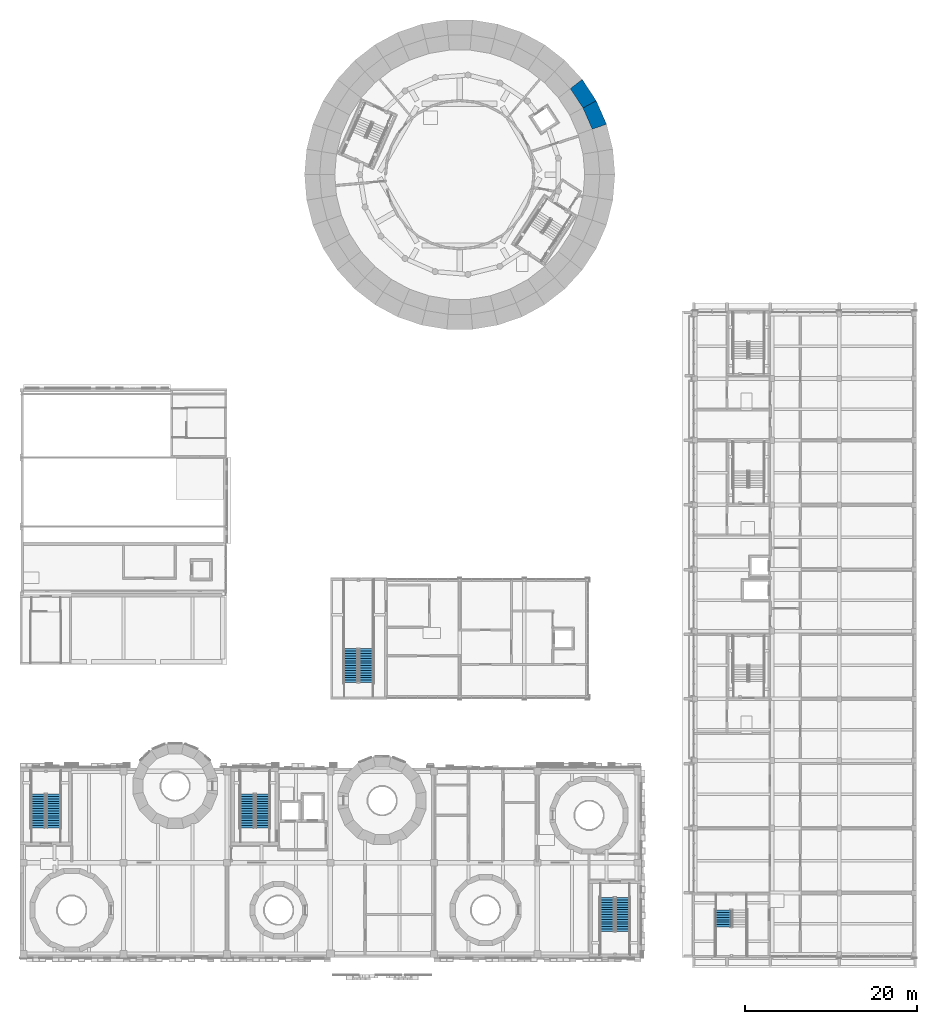
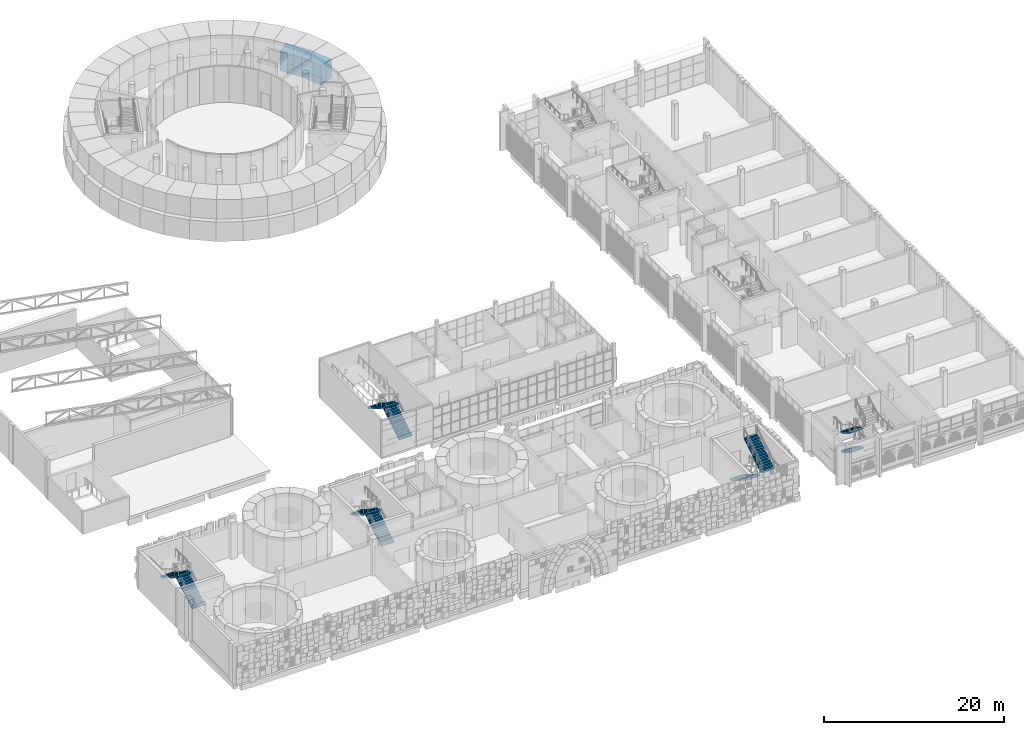
# One storey, part 74 of 125: 10 stair flights, 2 walls, 5 elements without a shape of their own.
"""IFC4 building model written with IfcOpenShell, lengths in metres."""

from ifc_helpers import new_model, si_unit, direction, frame, origin, place, context, subcontext, project, spatial, polyline, outline, extrude, material, layer, layer_set, type_object, element, aggregate, save


model = new_model("IFC4")

# Units and contexts
model_context = context("Model", 3, precision=1e-05, world=origin(), true_north=direction((0.0, 1.0)))
body_context = subcontext(model_context, "Body", "Model", "MODEL_VIEW")
ifc_project = project(units=[si_unit("LENGTHUNIT", "METRE"), si_unit("AREAUNIT", "SQUARE_METRE"), si_unit("VOLUMEUNIT", "CUBIC_METRE"), si_unit("PLANEANGLEUNIT", "RADIAN"), si_unit("MASSUNIT", "GRAM", prefix="KILO")], contexts=[model_context])

# Site, building, storey
site_placement = place(None, origin())
site = spatial("IfcSite", under=ifc_project, at=site_placement, CompositionType="ELEMENT")
building_placement = place(site_placement, origin())
building = spatial("IfcBuilding", under=site, at=building_placement, Name="Sun Court Science Centre", CompositionType="ELEMENT")
storey_placement = place(building_placement, frame((0.0, 0.0, 6.0)))
storey = spatial("IfcBuildingStorey", under=building, at=storey_placement, Name="L01", CompositionType="ELEMENT", Elevation=6.0)

# Walls
ifc_material_1 = material(Name="Concrete C30/37", Category="concrete")
ifc_layer = layer(ifc_material_1, 1.7451171875)
ifc_layer_set = layer_set([ifc_layer], Name="Concrete C30/37")
wall_type = type_object("IfcWallType", Name="RC drum wall exterior 1745", PredefinedType="SHEAR", material=ifc_layer_set)
wall_1_placement = place(storey_placement, frame((67.225830078125, 102.294189453125, -0.300048828125), z_axis=(0.0, 0.0, 1.0), x_axis=(-0.401744866956, 0.915751637659, 0.0)))
element("IfcWall", 1, at=wall_1_placement, inside=storey, type_object=wall_type, Name="Drum wall L01 course 1 segment 2", PredefinedType="SHEAR", context=body_context, shape_type="SweptSolid", body=[
    extrude(outline(polyline([(0.0, -0.872314453125), (2.972900390625, -0.87255859375), (2.828125, 0.872314453125), (0.144775390625, 0.87255859375), (0.0, -0.872314453125)])), origin(), (0.0, 0.0, 1.0), 2.625),
])
wall_2_placement = place(storey_placement, frame((66.10009765625, 104.889892578125, -0.300048828125), z_axis=(0.0, 0.0, 1.0), x_axis=(-0.546943979507, 0.837169208273, 0.0)))
element("IfcWall", 2, at=wall_2_placement, inside=storey, type_object=wall_type, Name="Drum wall L01 course 1 segment 3", PredefinedType="SHEAR", context=body_context, shape_type="SweptSolid", body=[
    extrude(outline(polyline([(0.0, -0.87255859375), (2.97265625, -0.87255859375), (2.828125, 0.872314453125), (0.14453125, 0.872314453125), (0.0, -0.87255859375)])), origin(), (0.0, 0.0, 1.0), 2.625),
])

# Stair, stair flights
ifc_material_2 = material(Name="Concrete C25/30", Category="concrete")
stair_type = type_object("IfcStairType", Name="Stair 1500 enclosed half-turn", PredefinedType="HALF_TURN_STAIR", material=ifc_material_2)
stair_1_placement = place(storey_placement, origin())
stair_1 = element("IfcStair", 3, at=stair_1_placement, inside=storey, type_object=stair_type, Name="L01 Stair SB1", PredefinedType="HALF_TURN_STAIR")
ifc_material_3 = material(Name="Concrete C25/30", Category="concrete")
stair_flight_type = type_object("IfcStairFlightType", Name="Stair flight 1500 with waist", PredefinedType="STRAIGHT", material=ifc_material_3)
stair_flight_1_placement = place(storey_placement, frame((3.89892578125, 21.048095703125, 0.0), z_axis=(0.0, 0.0, 1.0), x_axis=(0.0, 1.0, 0.0)))
stair_flight_1 = element("IfcStairFlight", 4, at=stair_flight_1_placement, type_object=stair_flight_type, Name="SB1 flight 1", NumberOfRisers=15, NumberOfTreads=14, PredefinedType="STRAIGHT", RiserHeight=0.175, TreadLength=0.28, context=body_context, shape_type="SweptSolid", body=[
    extrude(outline(polyline([(0.0, 0.0), (0.0, 0.175048828125), (0.280029296875, 0.175048828125), (0.280029296875, 0.35009765625), (0.56005859375, 0.35009765625), (0.56005859375, 0.52490234375), (0.840087890625, 0.52490234375), (0.840087890625, 0.699951171875), (1.1201171875, 0.699951171875), (1.1201171875, 0.875), (1.39990234375, 0.875), (1.39990234375, 1.050048828125), (1.679931640625, 1.050048828125), (1.679931640625, 1.22509765625), (1.9599609375, 1.22509765625), (1.9599609375, 1.39990234375), (2.239990234375, 1.39990234375), (2.239990234375, 1.574951171875), (2.52001953125, 1.574951171875), (2.52001953125, 1.75), (2.800048828125, 1.75), (2.800048828125, 1.925048828125), (3.080078125, 1.925048828125), (3.080078125, 2.10009765625), (3.360107421875, 2.10009765625), (3.360107421875, 2.27490234375), (3.639892578125, 2.27490234375), (3.639892578125, 2.449951171875), (3.919921875, 2.449951171875), (3.919921875, 2.625), (3.919921875, 2.273193359375), (0.28271484375, 0.0), (0.0, 0.0)])), frame((0.0, 0.823974609375, 0.0), z_axis=(0.0, -1.0, 0.0), x_axis=(1.0, 0.0, 0.0)), (0.0, 0.0, 1.0), 1.64794921875),
])
stair_flight_2_placement = place(storey_placement, frame((2.10107421875, 24.968017578125, 2.625), z_axis=(0.0, 0.0, 1.0), x_axis=(0.0, -1.0, 0.0)))
stair_flight_2 = element("IfcStairFlight", 5, at=stair_flight_2_placement, type_object=stair_flight_type, Name="SB1 flight 2", NumberOfRisers=15, NumberOfTreads=14, PredefinedType="STRAIGHT", RiserHeight=0.175, TreadLength=0.28, context=body_context, shape_type="SweptSolid", body=[
    extrude(outline(polyline([(0.0, 0.0), (0.0, 0.175048828125), (0.280029296875, 0.175048828125), (0.280029296875, 0.35009765625), (0.56005859375, 0.35009765625), (0.56005859375, 0.52490234375), (0.840087890625, 0.52490234375), (0.840087890625, 0.699951171875), (1.1201171875, 0.699951171875), (1.1201171875, 0.875), (1.39990234375, 0.875), (1.39990234375, 1.050048828125), (1.679931640625, 1.050048828125), (1.679931640625, 1.22509765625), (1.9599609375, 1.22509765625), (1.9599609375, 1.39990234375), (2.239990234375, 1.39990234375), (2.239990234375, 1.574951171875), (2.52001953125, 1.574951171875), (2.52001953125, 1.75), (2.800048828125, 1.75), (2.800048828125, 1.925048828125), (3.080078125, 1.925048828125), (3.080078125, 2.10009765625), (3.360107421875, 2.10009765625), (3.360107421875, 2.27490234375), (3.639892578125, 2.27490234375), (3.639892578125, 2.449951171875), (3.919921875, 2.449951171875), (3.919921875, 2.625), (3.919921875, 2.273193359375), (0.28271484375, 0.0), (0.0, 0.0)])), frame((0.0, 0.823974609375, 0.0), z_axis=(0.0, -1.0, 0.0), x_axis=(1.0, 0.0, 0.0)), (0.0, 0.0, 1.0), 1.64794921875),
])
aggregate(stair_1, [stair_flight_1, stair_flight_2])

stair_2_placement = place(storey_placement, origin())
stair_2 = element("IfcStair", 6, at=stair_2_placement, inside=storey, type_object=stair_type, Name="L01 Stair SB2", PredefinedType="HALF_TURN_STAIR")
stair_flight_3_placement = place(storey_placement, frame((28.14892578125, 21.048095703125, 0.0), z_axis=(0.0, 0.0, 1.0), x_axis=(0.0, 1.0, 0.0)))
stair_flight_3 = element("IfcStairFlight", 7, at=stair_flight_3_placement, type_object=stair_flight_type, Name="SB2 flight 1", NumberOfRisers=15, NumberOfTreads=14, PredefinedType="STRAIGHT", RiserHeight=0.175, TreadLength=0.28, context=body_context, shape_type="SweptSolid", body=[
    extrude(outline(polyline([(0.0, 0.0), (0.0, 0.175048828125), (0.280029296875, 0.175048828125), (0.280029296875, 0.35009765625), (0.56005859375, 0.35009765625), (0.56005859375, 0.52490234375), (0.840087890625, 0.52490234375), (0.840087890625, 0.699951171875), (1.1201171875, 0.699951171875), (1.1201171875, 0.875), (1.39990234375, 0.875), (1.39990234375, 1.050048828125), (1.679931640625, 1.050048828125), (1.679931640625, 1.22509765625), (1.9599609375, 1.22509765625), (1.9599609375, 1.39990234375), (2.239990234375, 1.39990234375), (2.239990234375, 1.574951171875), (2.52001953125, 1.574951171875), (2.52001953125, 1.75), (2.800048828125, 1.75), (2.800048828125, 1.925048828125), (3.080078125, 1.925048828125), (3.080078125, 2.10009765625), (3.360107421875, 2.10009765625), (3.360107421875, 2.27490234375), (3.639892578125, 2.27490234375), (3.639892578125, 2.449951171875), (3.919921875, 2.449951171875), (3.919921875, 2.625), (3.919921875, 2.273193359375), (0.28271484375, 0.0), (0.0, 0.0)])), frame((0.0, 0.823974609375, 0.0), z_axis=(0.0, -1.0, 0.0), x_axis=(1.0, 0.0, 0.0)), (0.0, 0.0, 1.0), 1.64794921875),
])
stair_flight_4_placement = place(storey_placement, frame((26.35107421875, 24.968017578125, 2.625), z_axis=(0.0, 0.0, 1.0), x_axis=(0.0, -1.0, 0.0)))
stair_flight_4 = element("IfcStairFlight", 8, at=stair_flight_4_placement, type_object=stair_flight_type, Name="SB2 flight 2", NumberOfRisers=15, NumberOfTreads=14, PredefinedType="STRAIGHT", RiserHeight=0.175, TreadLength=0.28, context=body_context, shape_type="SweptSolid", body=[
    extrude(outline(polyline([(0.0, 0.0), (0.0, 0.175048828125), (0.280029296875, 0.175048828125), (0.280029296875, 0.35009765625), (0.56005859375, 0.35009765625), (0.56005859375, 0.52490234375), (0.840087890625, 0.52490234375), (0.840087890625, 0.699951171875), (1.1201171875, 0.699951171875), (1.1201171875, 0.875), (1.39990234375, 0.875), (1.39990234375, 1.050048828125), (1.679931640625, 1.050048828125), (1.679931640625, 1.22509765625), (1.9599609375, 1.22509765625), (1.9599609375, 1.39990234375), (2.239990234375, 1.39990234375), (2.239990234375, 1.574951171875), (2.52001953125, 1.574951171875), (2.52001953125, 1.75), (2.800048828125, 1.75), (2.800048828125, 1.925048828125), (3.080078125, 1.925048828125), (3.080078125, 2.10009765625), (3.360107421875, 2.10009765625), (3.360107421875, 2.27490234375), (3.639892578125, 2.27490234375), (3.639892578125, 2.449951171875), (3.919921875, 2.449951171875), (3.919921875, 2.625), (3.919921875, 2.273193359375), (0.28271484375, 0.0), (0.0, 0.0)])), frame((0.0, 0.823974609375, 0.0), z_axis=(0.0, -1.0, 0.0), x_axis=(1.0, 0.0, 0.0)), (0.0, 0.0, 1.0), 1.64794921875),
])
aggregate(stair_2, [stair_flight_3, stair_flight_4])

stair_3_placement = place(storey_placement, origin())
stair_3 = element("IfcStair", 9, at=stair_3_placement, inside=storey, type_object=stair_type, Name="L01 Stair SB3", PredefinedType="HALF_TURN_STAIR")
stair_flight_5_placement = place(storey_placement, frame((68.10107421875, 12.951904296875, 0.0), z_axis=(0.0, 0.0, 1.0), x_axis=(0.0, -1.0, 0.0)))
stair_flight_5 = element("IfcStairFlight", 10, at=stair_flight_5_placement, type_object=stair_flight_type, Name="SB3 flight 1", NumberOfRisers=15, NumberOfTreads=14, PredefinedType="STRAIGHT", RiserHeight=0.175, TreadLength=0.28, context=body_context, shape_type="SweptSolid", body=[
    extrude(outline(polyline([(0.0, 0.0), (0.0, 0.175048828125), (0.280029296875, 0.175048828125), (0.280029296875, 0.35009765625), (0.56005859375, 0.35009765625), (0.56005859375, 0.52490234375), (0.840087890625, 0.52490234375), (0.840087890625, 0.699951171875), (1.1201171875, 0.699951171875), (1.1201171875, 0.875), (1.39990234375, 0.875), (1.39990234375, 1.050048828125), (1.679931640625, 1.050048828125), (1.679931640625, 1.22509765625), (1.9599609375, 1.22509765625), (1.9599609375, 1.39990234375), (2.239990234375, 1.39990234375), (2.239990234375, 1.574951171875), (2.52001953125, 1.574951171875), (2.52001953125, 1.75), (2.800048828125, 1.75), (2.800048828125, 1.925048828125), (3.080078125, 1.925048828125), (3.080078125, 2.10009765625), (3.360107421875, 2.10009765625), (3.360107421875, 2.27490234375), (3.639892578125, 2.27490234375), (3.639892578125, 2.449951171875), (3.919921875, 2.449951171875), (3.919921875, 2.625), (3.919921875, 2.273193359375), (0.28271484375, 0.0), (0.0, 0.0)])), frame((0.0, 0.823974609375, 0.0), z_axis=(0.0, -1.0, 0.0), x_axis=(1.0, 0.0, 0.0)), (0.0, 0.0, 1.0), 1.64794921875),
])
stair_flight_6_placement = place(storey_placement, frame((69.89892578125, 9.031982421875, 2.625), z_axis=(0.0, 0.0, 1.0), x_axis=(0.0, 1.0, 0.0)))
stair_flight_6 = element("IfcStairFlight", 11, at=stair_flight_6_placement, type_object=stair_flight_type, Name="SB3 flight 2", NumberOfRisers=15, NumberOfTreads=14, PredefinedType="STRAIGHT", RiserHeight=0.175, TreadLength=0.28, context=body_context, shape_type="SweptSolid", body=[
    extrude(outline(polyline([(0.0, 0.0), (0.0, 0.175048828125), (0.280029296875, 0.175048828125), (0.280029296875, 0.35009765625), (0.56005859375, 0.35009765625), (0.56005859375, 0.52490234375), (0.840087890625, 0.52490234375), (0.840087890625, 0.699951171875), (1.1201171875, 0.699951171875), (1.1201171875, 0.875), (1.39990234375, 0.875), (1.39990234375, 1.050048828125), (1.679931640625, 1.050048828125), (1.679931640625, 1.22509765625), (1.9599609375, 1.22509765625), (1.9599609375, 1.39990234375), (2.239990234375, 1.39990234375), (2.239990234375, 1.574951171875), (2.52001953125, 1.574951171875), (2.52001953125, 1.75), (2.800048828125, 1.75), (2.800048828125, 1.925048828125), (3.080078125, 1.925048828125), (3.080078125, 2.10009765625), (3.360107421875, 2.10009765625), (3.360107421875, 2.27490234375), (3.639892578125, 2.27490234375), (3.639892578125, 2.449951171875), (3.919921875, 2.449951171875), (3.919921875, 2.625), (3.919921875, 2.273193359375), (0.28271484375, 0.0), (0.0, 0.0)])), frame((0.0, 0.823974609375, 0.0), z_axis=(0.0, -1.0, 0.0), x_axis=(1.0, 0.0, 0.0)), (0.0, 0.0, 1.0), 1.64794921875),
])
aggregate(stair_3, [stair_flight_5, stair_flight_6])

stair_4_placement = place(storey_placement, origin())
stair_4 = element("IfcStair", 12, at=stair_4_placement, inside=storey, type_object=stair_type, Name="L01 Stair SL1", PredefinedType="HALF_TURN_STAIR")
stair_flight_7_placement = place(storey_placement, frame((81.551025390625, 11.501953125, 0.0), z_axis=(0.0, 0.0, 1.0), x_axis=(0.0, -1.0, 0.0)))
stair_flight_7 = element("IfcStairFlight", 13, at=stair_flight_7_placement, type_object=stair_flight_type, Name="SL1 flight 1", NumberOfRisers=8, NumberOfTreads=7, PredefinedType="STRAIGHT", RiserHeight=0.1640625, TreadLength=0.28, context=body_context, shape_type="SweptSolid", body=[
    extrude(outline(polyline([(0.0, 0.0), (0.0, 0.00244140625), (0.0, 0.0048828125), (0.0, 0.00732421875), (0.0, 0.009765625), (0.0, 0.01220703125), (0.0, 0.0146484375), (0.0, 0.01708984375), (0.0, 0.01953125), (0.0, 0.02197265625), (0.0, 0.0244140625), (0.0, 0.02685546875), (0.0, 0.029296875), (0.0, 0.03173828125), (0.0, 0.0341796875), (0.0, 0.03662109375), (0.0, 0.0390625), (0.0, 0.04150390625), (0.0, 0.0439453125), (0.0, 0.04638671875), (0.0, 0.048828125), (0.0, 0.05126953125), (0.0, 0.0537109375), (0.0, 0.05615234375), (0.0, 0.05859375), (0.0, 0.06103515625), (0.0, 0.0634765625), (0.0, 0.06591796875), (0.0, 0.068359375), (0.0, 0.07080078125), (0.0, 0.0732421875), (0.0, 0.07568359375), (0.0, 0.078125), (0.0, 0.08056640625), (0.0, 0.0830078125), (0.0, 0.08544921875), (0.0, 0.087890625), (0.0, 0.09033203125), (0.0, 0.0927734375), (0.0, 0.09521484375), (0.0, 0.09765625), (0.0, 0.10009765625), (0.0, 0.1025390625), (0.0, 0.10498046875), (0.0, 0.107421875), (0.0, 0.10986328125), (0.0, 0.1123046875), (0.0, 0.11474609375), (0.0, 0.1171875), (0.0, 0.11962890625), (0.0, 0.1220703125), (0.0, 0.12451171875), (0.0, 0.126953125), (0.0, 0.12939453125), (0.0, 0.1318359375), (0.0, 0.13427734375), (0.0, 0.13671875), (0.0, 0.13916015625), (0.0, 0.1416015625), (0.0, 0.14404296875), (0.0, 0.146484375), (0.0, 0.14892578125), (0.0, 0.1513671875), (0.0, 0.15380859375), (0.0, 0.15625), (0.0, 0.15869140625), (0.0, 0.1611328125), (0.0, 0.1640625), (0.280029296875, 0.1640625), (0.280029296875, 0.328125), (0.56005859375, 0.328125), (0.56005859375, 0.4921875), (0.840087890625, 0.4921875), (0.840087890625, 0.65625), (1.1201171875, 0.65625), (1.1201171875, 0.8203125), (1.39990234375, 0.8203125), (1.39990234375, 0.984375), (1.679931640625, 0.984375), (1.679931640625, 1.1484375), (1.9599609375, 1.1484375), (1.9599609375, 1.15087890625), (1.9599609375, 1.1533203125), (1.9599609375, 1.15576171875), (1.9599609375, 1.158203125), (1.9599609375, 1.16064453125), (1.9599609375, 1.1630859375), (1.9599609375, 1.16552734375), (1.9599609375, 1.16796875), (1.9599609375, 1.17041015625), (1.9599609375, 1.1728515625), (1.9599609375, 1.17529296875), (1.9599609375, 1.177734375), (1.9599609375, 1.18017578125), (1.9599609375, 1.1826171875), (1.9599609375, 1.18505859375), (1.9599609375, 1.1875), (1.9599609375, 1.18994140625), (1.9599609375, 1.1923828125), (1.9599609375, 1.19482421875), (1.9599609375, 1.197265625), (1.9599609375, 1.19970703125), (1.9599609375, 1.2021484375), (1.9599609375, 1.20458984375), (1.9599609375, 1.20703125), (1.9599609375, 1.20947265625), (1.9599609375, 1.2119140625), (1.9599609375, 1.21435546875), (1.9599609375, 1.216796875), (1.9599609375, 1.21923828125), (1.9599609375, 1.2216796875), (1.9599609375, 1.22412109375), (1.9599609375, 1.2265625), (1.9599609375, 1.22900390625), (1.9599609375, 1.2314453125), (1.9599609375, 1.23388671875), (1.9599609375, 1.236328125), (1.9599609375, 1.23876953125), (1.9599609375, 1.2412109375), (1.9599609375, 1.24365234375), (1.9599609375, 1.24609375), (1.9599609375, 1.24853515625), (1.9599609375, 1.2509765625), (1.9599609375, 1.25341796875), (1.9599609375, 1.255859375), (1.9599609375, 1.25830078125), (1.9599609375, 1.2607421875), (1.9599609375, 1.26318359375), (1.9599609375, 1.265625), (1.9599609375, 1.26806640625), (1.9599609375, 1.2705078125), (1.9599609375, 1.27294921875), (1.9599609375, 1.275390625), (1.9599609375, 1.27783203125), (1.9599609375, 1.2802734375), (1.9599609375, 1.28271484375), (1.9599609375, 1.28515625), (1.9599609375, 1.28759765625), (1.9599609375, 1.2900390625), (1.9599609375, 1.29248046875), (1.9599609375, 1.294921875), (1.9599609375, 1.29736328125), (1.9599609375, 1.2998046875), (1.9599609375, 1.30224609375), (1.9599609375, 1.3046875), (1.9599609375, 1.30712890625), (1.9599609375, 1.3095703125), (1.9599609375, 1.3125), (1.9599609375, 1.31005859375), (1.9599609375, 1.3076171875), (1.9599609375, 1.30517578125), (1.9599609375, 1.302734375), (1.9599609375, 1.30029296875), (1.9599609375, 1.2978515625), (1.9599609375, 1.29541015625), (1.9599609375, 1.29296875), (1.9599609375, 1.29052734375), (1.9599609375, 1.2880859375), (1.9599609375, 1.28564453125), (1.9599609375, 1.283203125), (1.9599609375, 1.28076171875), (1.9599609375, 1.2783203125), (1.9599609375, 1.27587890625), (1.9599609375, 1.2734375), (1.9599609375, 1.27099609375), (1.9599609375, 1.2685546875), (1.9599609375, 1.26611328125), (1.9599609375, 1.263671875), (1.9599609375, 1.26123046875), (1.9599609375, 1.2587890625), (1.9599609375, 1.25634765625), (1.9599609375, 1.25390625), (1.9599609375, 1.25146484375), (1.9599609375, 1.2490234375), (1.9599609375, 1.24658203125), (1.9599609375, 1.244140625), (1.9599609375, 1.24169921875), (1.9599609375, 1.2392578125), (1.9599609375, 1.23681640625), (1.9599609375, 1.234375), (1.9599609375, 1.23193359375), (1.9599609375, 1.2294921875), (1.9599609375, 1.22705078125), (1.9599609375, 1.224609375), (1.9599609375, 1.22216796875), (1.9599609375, 1.2197265625), (1.9599609375, 1.21728515625), (1.9599609375, 1.21484375), (1.9599609375, 1.21240234375), (1.9599609375, 1.2099609375), (1.9599609375, 1.20751953125), (1.9599609375, 1.205078125), (1.9599609375, 1.20263671875), (1.9599609375, 1.2001953125), (1.9599609375, 1.19775390625), (1.9599609375, 1.1953125), (1.9599609375, 1.19287109375), (1.9599609375, 1.1904296875), (1.9599609375, 1.18798828125), (1.9599609375, 1.185546875), (1.9599609375, 1.18310546875), (1.9599609375, 1.1806640625), (1.9599609375, 1.17822265625), (1.9599609375, 1.17578125), (1.9599609375, 1.17333984375), (1.9599609375, 1.1708984375), (1.9599609375, 1.16845703125), (1.9599609375, 1.166015625), (1.9599609375, 1.16357421875), (1.9599609375, 1.1611328125), (1.9599609375, 1.15869140625), (1.9599609375, 1.15625), (1.9599609375, 1.15380859375), (1.9599609375, 1.1513671875), (1.9599609375, 1.14892578125), (1.9599609375, 1.146484375), (1.9599609375, 1.14404296875), (1.9599609375, 1.1416015625), (1.9599609375, 1.13916015625), (1.9599609375, 1.13671875), (1.9599609375, 1.13427734375), (1.9599609375, 1.1318359375), (1.9599609375, 1.12939453125), (1.9599609375, 1.126953125), (1.9599609375, 1.12451171875), (1.9599609375, 1.1220703125), (1.9599609375, 1.11962890625), (1.9599609375, 1.1171875), (1.9599609375, 1.11474609375), (1.9599609375, 1.1123046875), (1.9599609375, 1.10986328125), (1.9599609375, 1.107421875), (1.9599609375, 1.10498046875), (1.9599609375, 1.1025390625), (1.9599609375, 1.10009765625), (1.9599609375, 1.09765625), (1.9599609375, 1.09521484375), (1.9599609375, 1.0927734375), (1.9599609375, 1.09033203125), (1.9599609375, 1.087890625), (1.9599609375, 1.08544921875), (1.9599609375, 1.0830078125), (1.9599609375, 1.08056640625), (1.9599609375, 1.078125), (1.9599609375, 1.07568359375), (1.9599609375, 1.0732421875), (1.9599609375, 1.07080078125), (1.9599609375, 1.068359375), (1.9599609375, 1.06591796875), (1.9599609375, 1.0634765625), (1.9599609375, 1.06103515625), (1.9599609375, 1.05859375), (1.9599609375, 1.05615234375), (1.9599609375, 1.0537109375), (1.9599609375, 1.05126953125), (1.9599609375, 1.048828125), (1.9599609375, 1.04638671875), (1.9599609375, 1.0439453125), (1.9599609375, 1.04150390625), (1.9599609375, 1.0390625), (1.9599609375, 1.03662109375), (1.9599609375, 1.0341796875), (1.9599609375, 1.03173828125), (1.9599609375, 1.029296875), (1.9599609375, 1.02685546875), (1.9599609375, 1.0244140625), (1.9599609375, 1.02197265625), (1.9599609375, 1.01953125), (1.9599609375, 1.01708984375), (1.9599609375, 1.0146484375), (1.9599609375, 1.01220703125), (1.9599609375, 1.009765625), (1.9599609375, 1.00732421875), (1.9599609375, 1.0048828125), (1.9599609375, 1.00244140625), (1.9599609375, 1.0), (1.9599609375, 0.99755859375), (1.9599609375, 0.9951171875), (1.9599609375, 0.99267578125), (1.9599609375, 0.990234375), (1.9599609375, 0.98779296875), (1.9599609375, 0.9853515625), (1.9599609375, 0.98291015625), (1.9599609375, 0.98046875), (1.9599609375, 0.97802734375), (1.9599609375, 0.974609375), (0.296630859375, 0.0), (0.0, 0.0)])), frame((0.0, 0.8740234375, 0.0), z_axis=(0.0, -1.0, 0.0), x_axis=(1.0, 0.0, 0.0)), (0.0, 0.0, 1.0), 1.748046875),
])
stair_flight_8_placement = place(storey_placement, frame((81.551025390625, 11.501953125, 2.625), z_axis=(0.0, 0.0, 1.0), x_axis=(0.0, -1.0, 0.0)))
stair_flight_8 = element("IfcStairFlight", 14, at=stair_flight_8_placement, type_object=stair_flight_type, Name="SL1 flight 3", NumberOfRisers=8, NumberOfTreads=7, PredefinedType="STRAIGHT", RiserHeight=0.1640625, TreadLength=0.28, context=body_context, shape_type="SweptSolid", body=[
    extrude(outline(polyline([(0.0, 0.0), (0.0, 0.00244140625), (0.0, 0.0048828125), (0.0, 0.00732421875), (0.0, 0.009765625), (0.0, 0.01220703125), (0.0, 0.0146484375), (0.0, 0.01708984375), (0.0, 0.01953125), (0.0, 0.02197265625), (0.0, 0.0244140625), (0.0, 0.02685546875), (0.0, 0.029296875), (0.0, 0.03173828125), (0.0, 0.0341796875), (0.0, 0.03662109375), (0.0, 0.0390625), (0.0, 0.04150390625), (0.0, 0.0439453125), (0.0, 0.04638671875), (0.0, 0.048828125), (0.0, 0.05126953125), (0.0, 0.0537109375), (0.0, 0.05615234375), (0.0, 0.05859375), (0.0, 0.06103515625), (0.0, 0.0634765625), (0.0, 0.06591796875), (0.0, 0.068359375), (0.0, 0.07080078125), (0.0, 0.0732421875), (0.0, 0.07568359375), (0.0, 0.078125), (0.0, 0.08056640625), (0.0, 0.0830078125), (0.0, 0.08544921875), (0.0, 0.087890625), (0.0, 0.09033203125), (0.0, 0.0927734375), (0.0, 0.09521484375), (0.0, 0.09765625), (0.0, 0.10009765625), (0.0, 0.1025390625), (0.0, 0.10498046875), (0.0, 0.107421875), (0.0, 0.10986328125), (0.0, 0.1123046875), (0.0, 0.11474609375), (0.0, 0.1171875), (0.0, 0.11962890625), (0.0, 0.1220703125), (0.0, 0.12451171875), (0.0, 0.126953125), (0.0, 0.12939453125), (0.0, 0.1318359375), (0.0, 0.13427734375), (0.0, 0.13671875), (0.0, 0.13916015625), (0.0, 0.1416015625), (0.0, 0.14404296875), (0.0, 0.146484375), (0.0, 0.14892578125), (0.0, 0.1513671875), (0.0, 0.15380859375), (0.0, 0.15625), (0.0, 0.15869140625), (0.0, 0.1611328125), (0.0, 0.1640625), (0.280029296875, 0.1640625), (0.280029296875, 0.328125), (0.56005859375, 0.328125), (0.56005859375, 0.4921875), (0.840087890625, 0.4921875), (0.840087890625, 0.65625), (1.1201171875, 0.65625), (1.1201171875, 0.8203125), (1.39990234375, 0.8203125), (1.39990234375, 0.984375), (1.679931640625, 0.984375), (1.679931640625, 1.1484375), (1.9599609375, 1.1484375), (1.9599609375, 1.15087890625), (1.9599609375, 1.1533203125), (1.9599609375, 1.15576171875), (1.9599609375, 1.158203125), (1.9599609375, 1.16064453125), (1.9599609375, 1.1630859375), (1.9599609375, 1.16552734375), (1.9599609375, 1.16796875), (1.9599609375, 1.17041015625), (1.9599609375, 1.1728515625), (1.9599609375, 1.17529296875), (1.9599609375, 1.177734375), (1.9599609375, 1.18017578125), (1.9599609375, 1.1826171875), (1.9599609375, 1.18505859375), (1.9599609375, 1.1875), (1.9599609375, 1.18994140625), (1.9599609375, 1.1923828125), (1.9599609375, 1.19482421875), (1.9599609375, 1.197265625), (1.9599609375, 1.19970703125), (1.9599609375, 1.2021484375), (1.9599609375, 1.20458984375), (1.9599609375, 1.20703125), (1.9599609375, 1.20947265625), (1.9599609375, 1.2119140625), (1.9599609375, 1.21435546875), (1.9599609375, 1.216796875), (1.9599609375, 1.21923828125), (1.9599609375, 1.2216796875), (1.9599609375, 1.22412109375), (1.9599609375, 1.2265625), (1.9599609375, 1.22900390625), (1.9599609375, 1.2314453125), (1.9599609375, 1.23388671875), (1.9599609375, 1.236328125), (1.9599609375, 1.23876953125), (1.9599609375, 1.2412109375), (1.9599609375, 1.24365234375), (1.9599609375, 1.24609375), (1.9599609375, 1.24853515625), (1.9599609375, 1.2509765625), (1.9599609375, 1.25341796875), (1.9599609375, 1.255859375), (1.9599609375, 1.25830078125), (1.9599609375, 1.2607421875), (1.9599609375, 1.26318359375), (1.9599609375, 1.265625), (1.9599609375, 1.26806640625), (1.9599609375, 1.2705078125), (1.9599609375, 1.27294921875), (1.9599609375, 1.275390625), (1.9599609375, 1.27783203125), (1.9599609375, 1.2802734375), (1.9599609375, 1.28271484375), (1.9599609375, 1.28515625), (1.9599609375, 1.28759765625), (1.9599609375, 1.2900390625), (1.9599609375, 1.29248046875), (1.9599609375, 1.294921875), (1.9599609375, 1.29736328125), (1.9599609375, 1.2998046875), (1.9599609375, 1.30224609375), (1.9599609375, 1.3046875), (1.9599609375, 1.30712890625), (1.9599609375, 1.3095703125), (1.9599609375, 1.3125), (1.9599609375, 1.31005859375), (1.9599609375, 1.3076171875), (1.9599609375, 1.30517578125), (1.9599609375, 1.302734375), (1.9599609375, 1.30029296875), (1.9599609375, 1.2978515625), (1.9599609375, 1.29541015625), (1.9599609375, 1.29296875), (1.9599609375, 1.29052734375), (1.9599609375, 1.2880859375), (1.9599609375, 1.28564453125), (1.9599609375, 1.283203125), (1.9599609375, 1.28076171875), (1.9599609375, 1.2783203125), (1.9599609375, 1.27587890625), (1.9599609375, 1.2734375), (1.9599609375, 1.27099609375), (1.9599609375, 1.2685546875), (1.9599609375, 1.26611328125), (1.9599609375, 1.263671875), (1.9599609375, 1.26123046875), (1.9599609375, 1.2587890625), (1.9599609375, 1.25634765625), (1.9599609375, 1.25390625), (1.9599609375, 1.25146484375), (1.9599609375, 1.2490234375), (1.9599609375, 1.24658203125), (1.9599609375, 1.244140625), (1.9599609375, 1.24169921875), (1.9599609375, 1.2392578125), (1.9599609375, 1.23681640625), (1.9599609375, 1.234375), (1.9599609375, 1.23193359375), (1.9599609375, 1.2294921875), (1.9599609375, 1.22705078125), (1.9599609375, 1.224609375), (1.9599609375, 1.22216796875), (1.9599609375, 1.2197265625), (1.9599609375, 1.21728515625), (1.9599609375, 1.21484375), (1.9599609375, 1.21240234375), (1.9599609375, 1.2099609375), (1.9599609375, 1.20751953125), (1.9599609375, 1.205078125), (1.9599609375, 1.20263671875), (1.9599609375, 1.2001953125), (1.9599609375, 1.19775390625), (1.9599609375, 1.1953125), (1.9599609375, 1.19287109375), (1.9599609375, 1.1904296875), (1.9599609375, 1.18798828125), (1.9599609375, 1.185546875), (1.9599609375, 1.18310546875), (1.9599609375, 1.1806640625), (1.9599609375, 1.17822265625), (1.9599609375, 1.17578125), (1.9599609375, 1.17333984375), (1.9599609375, 1.1708984375), (1.9599609375, 1.16845703125), (1.9599609375, 1.166015625), (1.9599609375, 1.16357421875), (1.9599609375, 1.1611328125), (1.9599609375, 1.15869140625), (1.9599609375, 1.15625), (1.9599609375, 1.15380859375), (1.9599609375, 1.1513671875), (1.9599609375, 1.14892578125), (1.9599609375, 1.146484375), (1.9599609375, 1.14404296875), (1.9599609375, 1.1416015625), (1.9599609375, 1.13916015625), (1.9599609375, 1.13671875), (1.9599609375, 1.13427734375), (1.9599609375, 1.1318359375), (1.9599609375, 1.12939453125), (1.9599609375, 1.126953125), (1.9599609375, 1.12451171875), (1.9599609375, 1.1220703125), (1.9599609375, 1.11962890625), (1.9599609375, 1.1171875), (1.9599609375, 1.11474609375), (1.9599609375, 1.1123046875), (1.9599609375, 1.10986328125), (1.9599609375, 1.107421875), (1.9599609375, 1.10498046875), (1.9599609375, 1.1025390625), (1.9599609375, 1.10009765625), (1.9599609375, 1.09765625), (1.9599609375, 1.09521484375), (1.9599609375, 1.0927734375), (1.9599609375, 1.09033203125), (1.9599609375, 1.087890625), (1.9599609375, 1.08544921875), (1.9599609375, 1.0830078125), (1.9599609375, 1.08056640625), (1.9599609375, 1.078125), (1.9599609375, 1.07568359375), (1.9599609375, 1.0732421875), (1.9599609375, 1.07080078125), (1.9599609375, 1.068359375), (1.9599609375, 1.06591796875), (1.9599609375, 1.0634765625), (1.9599609375, 1.06103515625), (1.9599609375, 1.05859375), (1.9599609375, 1.05615234375), (1.9599609375, 1.0537109375), (1.9599609375, 1.05126953125), (1.9599609375, 1.048828125), (1.9599609375, 1.04638671875), (1.9599609375, 1.0439453125), (1.9599609375, 1.04150390625), (1.9599609375, 1.0390625), (1.9599609375, 1.03662109375), (1.9599609375, 1.0341796875), (1.9599609375, 1.03173828125), (1.9599609375, 1.029296875), (1.9599609375, 1.02685546875), (1.9599609375, 1.0244140625), (1.9599609375, 1.02197265625), (1.9599609375, 1.01953125), (1.9599609375, 1.01708984375), (1.9599609375, 1.0146484375), (1.9599609375, 1.01220703125), (1.9599609375, 1.009765625), (1.9599609375, 1.00732421875), (1.9599609375, 1.0048828125), (1.9599609375, 1.00244140625), (1.9599609375, 1.0), (1.9599609375, 0.99755859375), (1.9599609375, 0.9951171875), (1.9599609375, 0.99267578125), (1.9599609375, 0.990234375), (1.9599609375, 0.98779296875), (1.9599609375, 0.9853515625), (1.9599609375, 0.98291015625), (1.9599609375, 0.98046875), (1.9599609375, 0.97802734375), (1.9599609375, 0.974609375), (0.296630859375, 0.0), (0.0, 0.0)])), frame((0.0, 0.8740234375, 0.0), z_axis=(0.0, -1.0, 0.0), x_axis=(1.0, 0.0, 0.0)), (0.0, 0.0, 1.0), 1.748046875),
])
aggregate(stair_4, [stair_flight_7, stair_flight_8])

stair_5_placement = place(storey_placement, origin())
stair_5 = element("IfcStair", 15, at=stair_5_placement, inside=storey, type_object=stair_type, Name="L01 Stair SP1", PredefinedType="HALF_TURN_STAIR")
stair_flight_9_placement = place(storey_placement, frame((40.174072265625, 37.89794921875, 0.0), z_axis=(0.0, 0.0, 1.0), x_axis=(0.0, 1.0, 0.0)))
stair_flight_9 = element("IfcStairFlight", 16, at=stair_flight_9_placement, type_object=stair_flight_type, Name="SP1 flight 1", NumberOfRisers=15, NumberOfTreads=14, PredefinedType="STRAIGHT", RiserHeight=0.175, TreadLength=0.28, context=body_context, shape_type="SweptSolid", body=[
    extrude(outline(polyline([(0.0, 0.0), (0.0, 0.175048828125), (0.280029296875, 0.175048828125), (0.280029296875, 0.35009765625), (0.56005859375, 0.35009765625), (0.56005859375, 0.52490234375), (0.840087890625, 0.52490234375), (0.840087890625, 0.699951171875), (1.1201171875, 0.699951171875), (1.1201171875, 0.875), (1.39990234375, 0.875), (1.39990234375, 1.050048828125), (1.679931640625, 1.050048828125), (1.679931640625, 1.22509765625), (1.9599609375, 1.22509765625), (1.9599609375, 1.39990234375), (2.239990234375, 1.39990234375), (2.239990234375, 1.574951171875), (2.52001953125, 1.574951171875), (2.52001953125, 1.75), (2.800048828125, 1.75), (2.800048828125, 1.925048828125), (3.080078125, 1.925048828125), (3.080078125, 2.10009765625), (3.360107421875, 2.10009765625), (3.360107421875, 2.27490234375), (3.639892578125, 2.27490234375), (3.639892578125, 2.449951171875), (3.919921875, 2.449951171875), (3.919921875, 2.625), (3.919921875, 2.273193359375), (0.28271484375, 0.0), (0.0, 0.0)])), frame((0.0, 0.823974609375, 0.0), z_axis=(0.0, -1.0, 0.0), x_axis=(1.0, 0.0, 0.0)), (0.0, 0.0, 1.0), 1.64794921875),
])
stair_flight_10_placement = place(storey_placement, frame((38.3759765625, 41.818115234375, 2.625), z_axis=(0.0, 0.0, 1.0), x_axis=(0.0, -1.0, 0.0)))
stair_flight_10 = element("IfcStairFlight", 17, at=stair_flight_10_placement, type_object=stair_flight_type, Name="SP1 flight 2", NumberOfRisers=15, NumberOfTreads=14, PredefinedType="STRAIGHT", RiserHeight=0.175, TreadLength=0.28, context=body_context, shape_type="SweptSolid", body=[
    extrude(outline(polyline([(0.0, 0.0), (0.0, 0.175048828125), (0.280029296875, 0.175048828125), (0.280029296875, 0.35009765625), (0.56005859375, 0.35009765625), (0.56005859375, 0.52490234375), (0.840087890625, 0.52490234375), (0.840087890625, 0.699951171875), (1.1201171875, 0.699951171875), (1.1201171875, 0.875), (1.39990234375, 0.875), (1.39990234375, 1.050048828125), (1.679931640625, 1.050048828125), (1.679931640625, 1.22509765625), (1.9599609375, 1.22509765625), (1.9599609375, 1.39990234375), (2.239990234375, 1.39990234375), (2.239990234375, 1.574951171875), (2.52001953125, 1.574951171875), (2.52001953125, 1.75), (2.800048828125, 1.75), (2.800048828125, 1.925048828125), (3.080078125, 1.925048828125), (3.080078125, 2.10009765625), (3.360107421875, 2.10009765625), (3.360107421875, 2.27490234375), (3.639892578125, 2.27490234375), (3.639892578125, 2.449951171875), (3.919921875, 2.449951171875), (3.919921875, 2.625), (3.919921875, 2.273193359375), (0.28271484375, 0.0), (0.0, 0.0)])), frame((0.0, 0.823974609375, 0.0), z_axis=(0.0, -1.0, 0.0), x_axis=(1.0, 0.0, 0.0)), (0.0, 0.0, 1.0), 1.64794921875),
])
aggregate(stair_5, [stair_flight_9, stair_flight_10])

save(model, "model.ifc")
